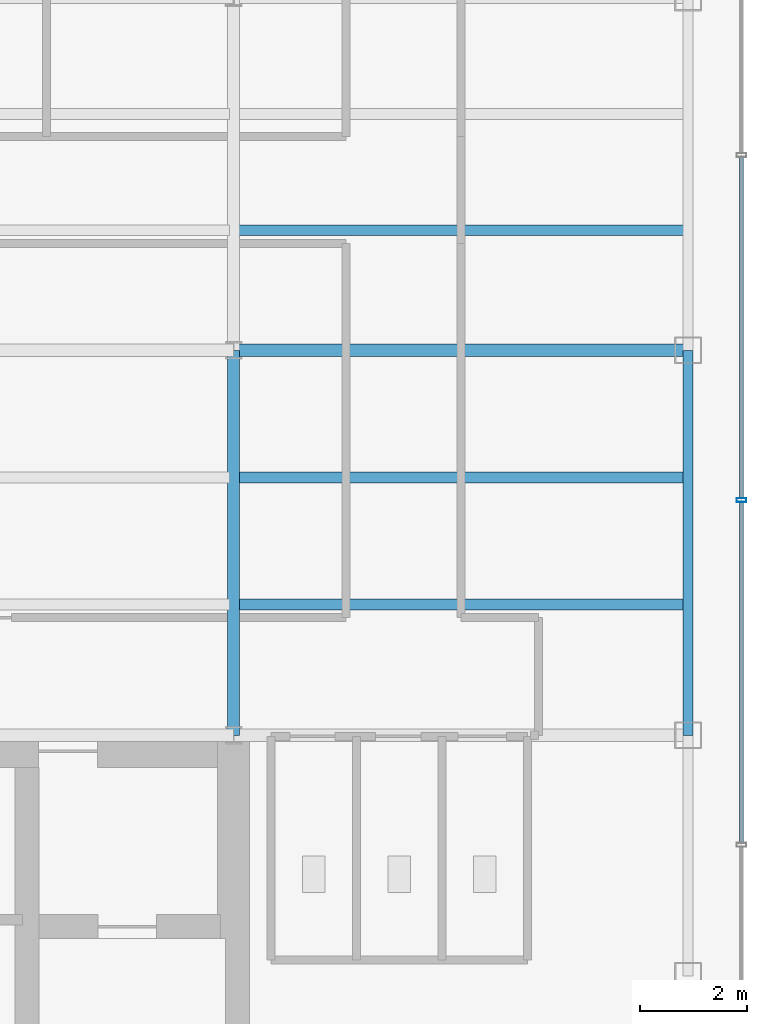
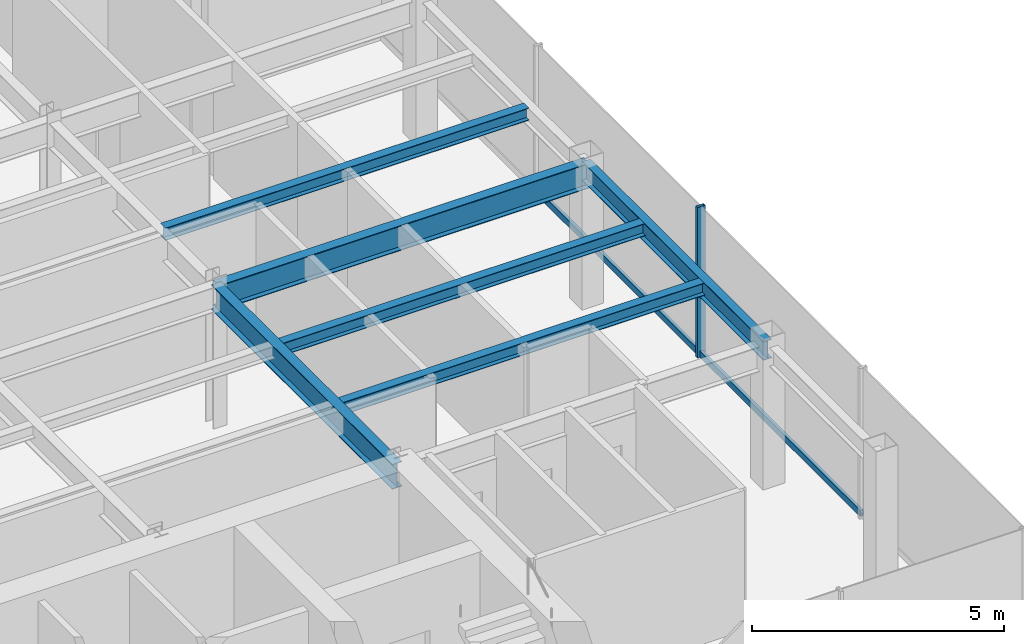
# One storey, part 10 of 22: 6 beams, 3 members, 1 element without a shape of its own.
"""IFC4 building model written with IfcOpenShell, lengths in metres."""

from ifc_helpers import new_model, si_unit, derived_unit, direction, frame, origin, origin_2d, place, context, subcontext, project, spatial, hollow_rectangle, i_section, extrude, source, transform, mapped, material, material_profile, profile_set, type_object, element, aggregate, save


model = new_model("IFC4")

# Units and contexts
model_context = context("Model", 3, precision=1e-05, world=origin(), true_north=direction((0.0, 1.0)))
body_context = subcontext(model_context, "Body", "Model", "MODEL_VIEW")
ifc_project = project(units=[si_unit("LENGTHUNIT", "METRE"), si_unit("AREAUNIT", "SQUARE_METRE"), si_unit("VOLUMEUNIT", "CUBIC_METRE"), si_unit("PLANEANGLEUNIT", "RADIAN"), si_unit("MASSUNIT", "GRAM", prefix="KILO"), derived_unit("THERMALTRANSMITTANCEUNIT", [(si_unit("POWERUNIT", "WATT"), 1), (si_unit("LENGTHUNIT", "METRE"), -2), (si_unit("THERMODYNAMICTEMPERATUREUNIT", "KELVIN"), -1)])], contexts=[model_context])

# Site, building, storey
site_placement = place(None, origin())
site = spatial("IfcSite", under=ifc_project, at=site_placement, CompositionType="ELEMENT")
building_placement = place(site_placement, origin())
building = spatial("IfcBuilding", under=site, at=building_placement, Name="Skarnbrae Concourse Arena and Tower", CompositionType="ELEMENT")
storey_placement = place(building_placement, frame((0.0, 0.0, 273.39990234375)))
storey = spatial("IfcBuildingStorey", under=building, at=storey_placement, Name="L71", CompositionType="ELEMENT", Elevation=273.39990234375)

# Beams
ifc_material_1 = material(Name="Steel CSA G40.21 350W", Category="steel")
ifc_material_profile_1 = material_profile(ifc_material_1, i_section(OverallWidth=0.22802734375, OverallDepth=0.60791015625, WebThickness=0.01123046875, FlangeThickness=0.017333984375, at=origin_2d()), Name="W610X113")
ifc_profile_set_1 = profile_set([ifc_material_profile_1], Name="Steel CSA G40.21 350W")
beam_type_1 = type_object("IfcBeamType", Name="BM-GIRD-W610X113", PredefinedType="BEAM", material=ifc_profile_set_1)
shared_shape_1 = source(origin(), body_context, "Body", "SweptSolid", [
    extrude(i_section(OverallWidth=0.22802734375, OverallDepth=0.60791015625, WebThickness=0.01123046875, FlangeThickness=0.017333984375, at=origin_2d()), origin(), (0.0, 0.0, 1.0), 8.5),
])
beam_1_placement = place(storey_placement, frame((33.5, 21.199951171875, 3.09619140625), z_axis=(1.0, 0.0, 0.0), x_axis=(0.0, 1.0, 0.0)))
element("IfcBeam", 1, at=beam_1_placement, inside=storey, type_object=beam_type_1, Name="L71 Primary E-W girder Y21.2-6", PredefinedType="BEAM", context=body_context, shape_type="MappedRepresentation", body=[
    mapped(shared_shape_1, transform((0.0, 0.0, 0.0))),
])
ifc_material_profile_2 = material_profile(ifc_material_1, i_section(OverallWidth=0.19091796875, OverallDepth=0.4599609375, WebThickness=0.010009765625, FlangeThickness=0.01611328125, at=origin_2d()), Name="W460X82")
ifc_profile_set_2 = profile_set([ifc_material_profile_2], Name="Steel CSA G40.21 350W")
beam_type_2 = type_object("IfcBeamType", Name="BM-SPAN-W460X82", PredefinedType="SPANDREL", material=ifc_profile_set_2)
shared_shape_2 = source(origin(), body_context, "Body", "SweptSolid", [
    extrude(i_section(OverallWidth=0.19091796875, OverallDepth=0.4599609375, WebThickness=0.010009765625, FlangeThickness=0.01611328125, at=origin_2d()), origin(), (0.0, 0.0, 1.0), 7.199951171875),
])
beam_2_placement = place(storey_placement, frame((42.0, 14.0, 3.170166015625), z_axis=(0.0, 1.0, 0.0), x_axis=(-1.0, 0.0, 0.0)))
element("IfcBeam", 2, at=beam_2_placement, inside=storey, type_object=beam_type_2, Name="L71 Perimeter spandrel X42.0-2", PredefinedType="SPANDREL", context=body_context, shape_type="MappedRepresentation", body=[
    mapped(shared_shape_2, transform((0.0, 0.0, 0.0))),
])
shared_shape_3 = source(origin(), body_context, "Body", "SweptSolid", [
    extrude(i_section(OverallWidth=0.22802734375, OverallDepth=0.60791015625, WebThickness=0.01123046875, FlangeThickness=0.017333984375, at=origin_2d()), origin(), (0.0, 0.0, 1.0), 7.199951171875),
])
beam_3_placement = place(storey_placement, frame((33.5, 14.0, 3.09619140625), z_axis=(0.0, 1.0, 0.0), x_axis=(-1.0, 0.0, 0.0)))
element("IfcBeam", 3, at=beam_3_placement, inside=storey, type_object=beam_type_1, Name="L71 Primary N-S girder X33.5-1", PredefinedType="BEAM", context=body_context, shape_type="MappedRepresentation", body=[
    mapped(shared_shape_3, transform((0.0, 0.0, 0.0))),
])
ifc_material_profile_3 = material_profile(ifc_material_1, i_section(OverallWidth=0.202880859375, OverallDepth=0.302978515625, WebThickness=0.007568359375, FlangeThickness=0.01318359375, at=origin_2d()), Name="W310X60")
ifc_profile_set_3 = profile_set([ifc_material_profile_3], Name="Steel CSA G40.21 350W")
beam_type_3 = type_object("IfcBeamType", Name="BM-JOIST-W310X60", PredefinedType="JOIST", material=ifc_profile_set_3)
shared_shape_4 = source(origin(), body_context, "Body", "SweptSolid", [
    extrude(i_section(OverallWidth=0.202880859375, OverallDepth=0.302978515625, WebThickness=0.007568359375, FlangeThickness=0.01318359375, at=origin_2d()), origin(), (0.0, 0.0, 1.0), 8.33984375),
])
for number, where, z_axis, x_axis, name in (
    (4, (33.580078125, 16.447998046875, 3.24853515625), (1.0, 0.0, 0.0), (0.0, 1.0, 0.0), "L71 Secondary floor joist 1.1.6"),
    (5, (33.580078125, 18.823974609375, 3.24853515625), (1.0, 0.0, 0.0), (0.0, 1.0, 0.0), "L71 Secondary floor joist 1.2.6"),
    (6, (33.580078125, 23.444091796875, 3.24853515625), (1.0, 0.0, 0.0), (0.0, 1.0, 0.0), "L71 Secondary floor joist 2.1.6"),
):
    element("IfcBeam", number, at=place(storey_placement, frame(where, z_axis=z_axis, x_axis=x_axis)), inside=storey, type_object=beam_type_3, Name=name, PredefinedType="JOIST", context=body_context, shape_type="MappedRepresentation", body=[
        mapped(shared_shape_4, transform((0.0, 0.0, 0.0))),
    ])

# Curtain wall, members
ifc_material_2 = material(Name="Bronze anodised aluminium 6063-T6", Category="aluminium")
curtain_wall_type = type_object("IfcCurtainWallType", Name="CW-SYS-05-HIGHZONE", PredefinedType="USERDEFINED", material=ifc_material_2)
curtain_wall_placement = place(storey_placement, origin())
curtain_wall = element("IfcCurtainWall", 7, at=curtain_wall_placement, inside=storey, type_object=curtain_wall_type, Name="L71 Unitised curtain wall CW-L71-E04", ObjectType="UNITISED CURTAIN WALL", PredefinedType="USERDEFINED")
ifc_material_profile_4 = material_profile(ifc_material_2, hollow_rectangle(XDim=0.074951171875, YDim=0.14990234375, WallThickness=0.00390625, at=origin_2d()), Name="ALU-TRAN-75X150")
ifc_profile_set_4 = profile_set([ifc_material_profile_4], Name="Bronze anodised aluminium 6063-T6")
member_type_1 = type_object("IfcMemberType", Name="CWT-CW-05", PredefinedType="USERDEFINED", material=ifc_profile_set_4)
shared_shape_5 = source(origin(), body_context, "Body", "SweptSolid", [
    extrude(hollow_rectangle(XDim=0.074951171875, YDim=0.14990234375, WallThickness=0.00390625, at=origin_2d()), origin(), (0.0, 0.0, 1.0), 6.375),
])
member_1_placement = place(storey_placement, frame((43.0, 11.987548828125, 0.0751953125), z_axis=(0.0, 1.0, 0.0), x_axis=(-1.0, 0.0, 0.0)))
member_1 = element("IfcMember", 8, at=member_1_placement, type_object=member_type_1, Name="CW-L71-E04 Transom 2", ObjectType="TRANSOM", PredefinedType="USERDEFINED", context=body_context, shape_type="MappedRepresentation", body=[
    mapped(shared_shape_5, transform((0.0, 0.0, 0.0))),
])
member_2_placement = place(storey_placement, frame((43.0, 18.4375, 0.0751953125), z_axis=(0.0, 1.0, 0.0), x_axis=(-1.0, 0.0, 0.0)))
member_2 = element("IfcMember", 9, at=member_2_placement, type_object=member_type_1, Name="CW-L71-E04 Transom 3", ObjectType="TRANSOM", PredefinedType="USERDEFINED", context=body_context, shape_type="MappedRepresentation", body=[
    mapped(shared_shape_5, transform((0.0, 0.0, 0.0))),
])
ifc_material_profile_5 = material_profile(ifc_material_2, hollow_rectangle(XDim=0.074951171875, YDim=0.179931640625, WallThickness=0.00390625, at=origin_2d()), Name="ALU-MULL-75X180")
ifc_profile_set_5 = profile_set([ifc_material_profile_5], Name="Bronze anodised aluminium 6063-T6")
member_type_2 = type_object("IfcMemberType", Name="CWM-CW-05", PredefinedType="MULLION", material=ifc_profile_set_5)
shared_shape_6 = source(origin(), body_context, "Body", "SweptSolid", [
    extrude(hollow_rectangle(XDim=0.074951171875, YDim=0.179931640625, WallThickness=0.00390625, at=origin_2d()), origin(), (0.0, 0.0, 1.0), 3.650146484375),
])
member_3_placement = place(storey_placement, frame((43.0, 18.39990234375, 0.0), z_axis=(0.0, 0.0, 1.0), x_axis=(0.0, 1.0, 0.0)))
member_3 = element("IfcMember", 10, at=member_3_placement, type_object=member_type_2, Name="CW-L71-E04 Mullion 3", PredefinedType="MULLION", context=body_context, shape_type="MappedRepresentation", body=[
    mapped(shared_shape_6, transform((0.0, 0.0, 0.0))),
])
aggregate(curtain_wall, [member_3, member_1, member_2])

save(model, "model.ifc")
